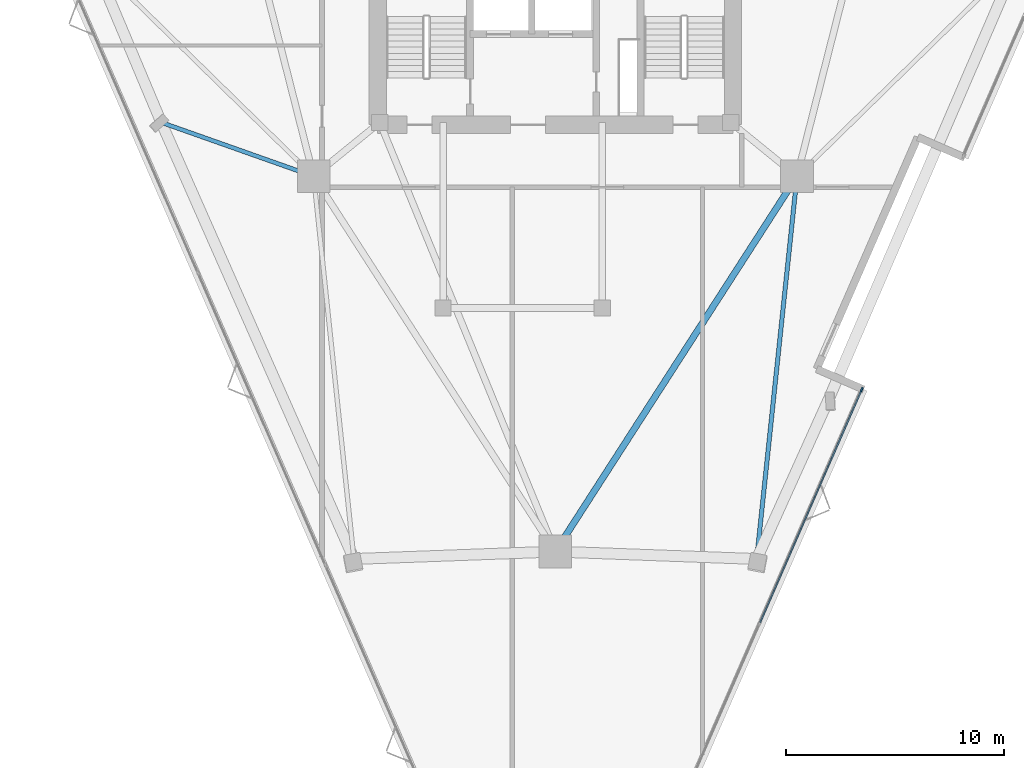
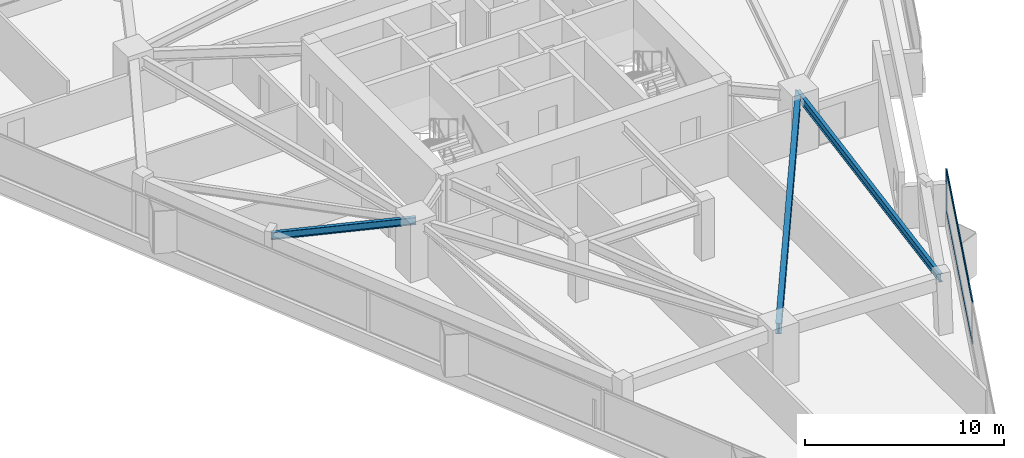
# One storey, part 3 of 12: 3 beams, 3 members, 1 element without a shape of its own.
"""IFC4 building model written with IfcOpenShell, lengths in metres."""

from ifc_helpers import new_model, si_unit, direction, frame, origin, origin_2d, place, context, subcontext, project, spatial, rectangle, i_section, extrude, material, layer, layer_set, material_profile, profile_set, type_object, element, aggregate, save


model = new_model("IFC4")

# Units and contexts
model_context = context("Model", 3, precision=1e-05, world=origin(), true_north=direction((0.0, 1.0)))
body_context = subcontext(model_context, "Body", "Model", "MODEL_VIEW")
ifc_project = project(units=[si_unit("LENGTHUNIT", "METRE"), si_unit("AREAUNIT", "SQUARE_METRE"), si_unit("VOLUMEUNIT", "CUBIC_METRE"), si_unit("PLANEANGLEUNIT", "RADIAN"), si_unit("MASSUNIT", "GRAM", prefix="KILO")], contexts=[model_context])

# Site, building, storey
site_placement = place(None, origin())
site = spatial("IfcSite", under=ifc_project, at=site_placement, CompositionType="ELEMENT")
building_placement = place(site_placement, origin())
building = spatial("IfcBuilding", under=site, at=building_placement, Name="Talyreon Biosciences Tower", CompositionType="ELEMENT")
storey_placement = place(building_placement, frame((0.0, 0.0, 152.75)))
storey = spatial("IfcBuildingStorey", under=building, at=storey_placement, Name="L40", CompositionType="ELEMENT", Elevation=152.75)

# Curtain wall, members
ifc_material_1 = material(Name="Thermally broken aluminium and low-E glazing", Category="aluminium")
ifc_layer = layer(ifc_material_1, 0.205078125)
ifc_layer_set = layer_set([ifc_layer], Name="Thermally broken aluminium and low-E glazing")
curtain_wall_type = type_object("IfcCurtainWallType", Name="CurtainWall_SkyGardenLoggia", PredefinedType="NOTDEFINED", material=ifc_layer_set)
curtain_wall_placement = place(storey_placement, origin())
curtain_wall = element("IfcCurtainWall", 1, at=curtain_wall_placement, inside=storey, type_object=curtain_wall_type, Name="L40 Unitised Curtain Wall FCW-L40-11", PredefinedType="NOTDEFINED")
ifc_material_2 = material(Name="Anodised thermally broken aluminium", Category="aluminium")
ifc_material_profile_1 = material_profile(ifc_material_2, rectangle(XDim=0.074951171875, YDim=0.2099609375, at=origin_2d()), Name="ALUM MULLION 75x210")
ifc_profile_set_1 = profile_set([ifc_material_profile_1], Name="Anodised thermally broken aluminium")
member_type_1 = type_object("IfcMemberType", Name="CWMullion_75x210", PredefinedType="MULLION", material=ifc_profile_set_1)
member_1_placement = place(storey_placement, frame((80.05615234375, 49.0986328125, 0.81005859375), z_axis=(0.0, 0.0, 1.0), x_axis=(0.916646919811, -0.399697916434, 0.0)))
member_1 = element("IfcMember", 2, at=member_1_placement, type_object=member_type_1, Name="CW7 mullion 1", PredefinedType="MULLION", context=body_context, shape_type="SweptSolid", body=[
    extrude(rectangle(XDim=0.074951171875, YDim=0.2099609375, at=origin_2d()), origin(), (0.0, 0.0, 1.0), 2.56494140625),
])
ifc_material_profile_2 = material_profile(ifc_material_2, rectangle(XDim=0.06494140625, YDim=0.139892578125, at=origin_2d()), Name="ALUM TRANSOM 65x140")
ifc_profile_set_2 = profile_set([ifc_material_profile_2], Name="Anodised thermally broken aluminium")
member_type_2 = type_object("IfcMemberType", Name="CWTransom_65x140", PredefinedType="USERDEFINED", material=ifc_profile_set_2)
member_2_placement = place(storey_placement, frame((80.041259765625, 49.064208984375, 0.842529296875), z_axis=(-0.399706304739, -0.916643262099, 0.0), x_axis=(0.916643262099, -0.399706304739, 0.0)))
member_2 = element("IfcMember", 3, at=member_2_placement, type_object=member_type_2, Name="CW7 transom 1.1", ObjectType="TRANSOM", PredefinedType="USERDEFINED", context=body_context, shape_type="SweptSolid", body=[
    extrude(rectangle(XDim=0.06494140625, YDim=0.139892578125, at=origin_2d()), origin(), (0.0, 0.0, 1.0), 11.61865234375),
])
member_3_placement = place(storey_placement, frame((80.041259765625, 49.064208984375, 3.342529296875), z_axis=(-0.399706304739, -0.916643262099, 0.0), x_axis=(0.916643262099, -0.399706304739, 0.0)))
member_3 = element("IfcMember", 4, at=member_3_placement, type_object=member_type_2, Name="CW7 transom 1.2", ObjectType="TRANSOM", PredefinedType="USERDEFINED", context=body_context, shape_type="SweptSolid", body=[
    extrude(rectangle(XDim=0.06494140625, YDim=0.139892578125, at=origin_2d()), origin(), (0.0, 0.0, 1.0), 11.61865234375),
])
aggregate(curtain_wall, [member_1, member_2, member_3])

# Beams
ifc_material_3 = material(Name="Steel SM355", Category="steel")
ifc_material_profile_3 = material_profile(ifc_material_3, i_section(OverallWidth=0.300048828125, OverallDepth=0.64990234375, WebThickness=0.01611328125, FlangeThickness=0.031005859375, FilletRadius=0.027099609375, at=origin_2d()), Name="HE650B")
ifc_profile_set_3 = profile_set([ifc_material_profile_3], Name="Steel SM355")
beam_type_1 = type_object("IfcBeamType", Name="SteelBeam_HE650B", PredefinedType="BEAM", material=ifc_profile_set_3)
beam_1_placement = place(storey_placement, frame((66.0, 41.6669921875, 3.050048828125), z_axis=(0.541463723609, 0.840724114092, 0.0), x_axis=(-0.840724114092, 0.541463723609, 0.0)))
element("IfcBeam", 5, at=beam_1_placement, inside=storey, type_object=beam_type_1, Name="L40 Mega-Ring Girder 1", PredefinedType="BEAM", context=body_context, shape_type="SweptSolid", body=[
    extrude(i_section(OverallWidth=0.300048828125, OverallDepth=0.64990234375, WebThickness=0.01611328125, FlangeThickness=0.031005859375, FilletRadius=0.027099609375, at=origin_2d()), origin(), (0.0, 0.0, 1.0), 20.474365234375),
])
ifc_material_profile_4 = material_profile(ifc_material_3, i_section(OverallWidth=0.18994140625, OverallDepth=0.449951171875, WebThickness=0.009521484375, FlangeThickness=0.0146484375, FilletRadius=0.02099609375, at=origin_2d()), Name="IPE450")
ifc_profile_set_4 = profile_set([ifc_material_profile_4], Name="Steel SM355")
beam_type_2 = type_object("IfcBeamType", Name="SteelJoist_IPE450", PredefinedType="JOIST", material=ifc_profile_set_4)
beam_2_placement = place(storey_placement, frame((54.913818359375, 58.88037109375, 3.14990234375), z_axis=(-0.942782177231, 0.333409307453, 0.0), x_axis=(-0.333409307453, -0.942782177231, 0.0)))
element("IfcBeam", 6, at=beam_2_placement, inside=storey, type_object=beam_type_2, Name="L40 Radial Composite Floor Joist PL-SW", PredefinedType="JOIST", context=body_context, shape_type="SweptSolid", body=[
    extrude(i_section(OverallWidth=0.18994140625, OverallDepth=0.449951171875, WebThickness=0.009521484375, FlangeThickness=0.0146484375, FilletRadius=0.02099609375, at=origin_2d()), origin(), (0.0, 0.0, 1.0), 7.411865234375),
])
ifc_material_profile_5 = material_profile(ifc_material_3, i_section(OverallWidth=0.199951171875, OverallDepth=0.5, WebThickness=0.01025390625, FlangeThickness=0.01611328125, FilletRadius=0.02099609375, at=origin_2d()), Name="IPE500")
ifc_profile_set_5 = profile_set([ifc_material_profile_5], Name="Steel SM355")
beam_type_3 = type_object("IfcBeamType", Name="SteelJoist_IPE500", PredefinedType="JOIST", material=ifc_profile_set_5)
beam_3_placement = place(storey_placement, frame((77.086181640625, 58.88037109375, 3.125), z_axis=(-0.104802144092, -0.994493092281, 0.0), x_axis=(0.994493092281, -0.104802144092, 0.0)))
element("IfcBeam", 7, at=beam_3_placement, inside=storey, type_object=beam_type_3, Name="L40 Radial Composite Floor Joist PC-SE1", PredefinedType="JOIST", context=body_context, shape_type="SweptSolid", body=[
    extrude(i_section(OverallWidth=0.199951171875, OverallDepth=0.5, WebThickness=0.01025390625, FlangeThickness=0.01611328125, FilletRadius=0.02099609375, at=origin_2d()), origin(), (0.0, 0.0, 1.0), 17.65087890625),
])

save(model, "model.ifc")
